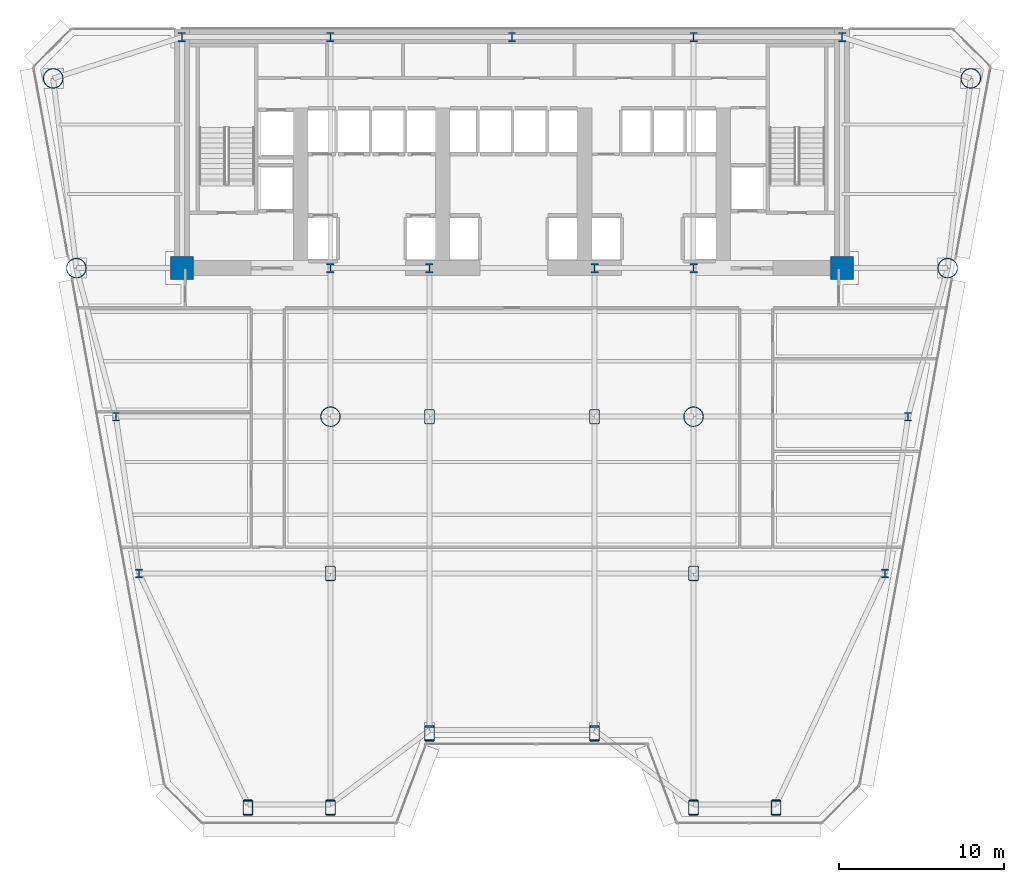
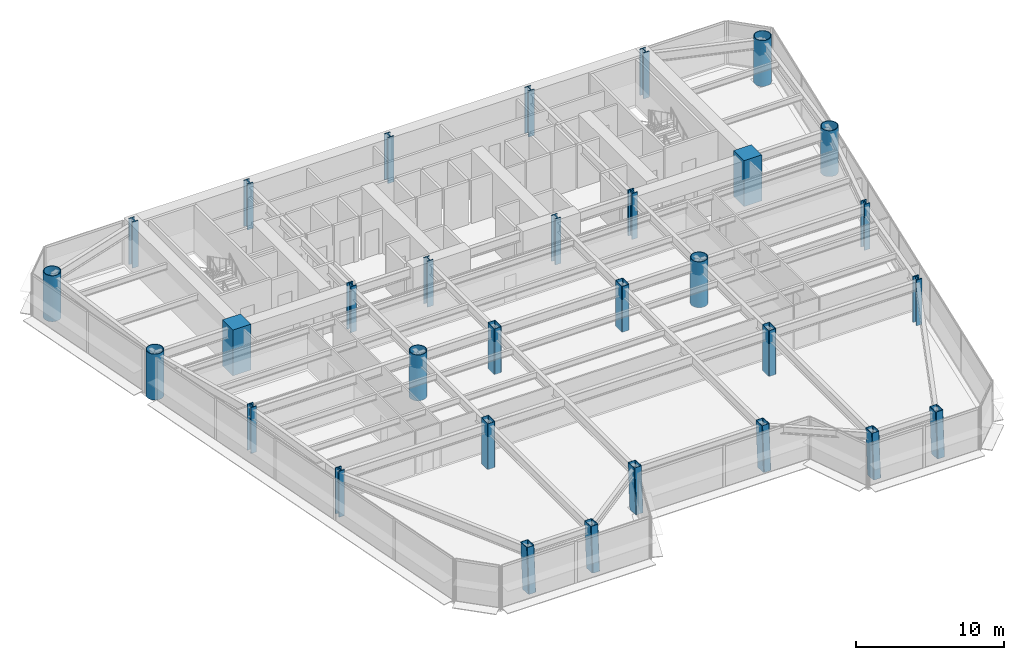
# One storey, part 1 of 14: 31 columns.
"""IFC4 building model written with IfcOpenShell, lengths in metres."""

import ifcopenshell
import ifcopenshell.guid

model = None  # the IFC model being written
_history = None  # IfcOwnerHistory: only IFC2X3 demands one
_inside = {}  # id of a spatial element -> (the spatial element, [elements in it])
_under = {}  # id of a project, library or spatial element -> (it, [spatial elements below it])
_declared = {}  # id of a project -> (the project, [libraries it declares])
_typed = {}  # id of a type object -> (the type object, [elements of that type])
_made_of = {}  # id of a material, layer set ... -> (it, [elements and type objects made of it])


def new_model(schema):
    """Start an empty IFC model of exactly this schema.

    Asked for "IFC4X3", IfcOpenShell would pick the latest addendum, in which some entities
    have other attributes; the version numbers below select the first issue.
    IFC2X3 requires an IfcOwnerHistory on every rooted entity: one is made here for all.
    """
    global model, _history
    if schema == "IFC4X3":
        model = ifcopenshell.file(schema_version=(4, 3, 0, 0))
    else:
        model = ifcopenshell.file(schema=schema)
    _inside.clear()
    _under.clear()
    _declared.clear()
    _typed.clear()
    _made_of.clear()
    _history = None
    if model.schema == "IFC2X3":
        org = make("IfcOrganization", Name="unknown")
        user = make(
            "IfcPersonAndOrganization",
            ThePerson=make("IfcPerson", FamilyName="unknown"),
            TheOrganization=org,
        )
        app = make(
            "IfcApplication",
            ApplicationDeveloper=org,
            Version="unknown",
            ApplicationFullName="unknown",
            ApplicationIdentifier="unknown",
        )
        _history = make(
            "IfcOwnerHistory",
            OwningUser=user,
            OwningApplication=app,
            ChangeAction="ADDED",
            CreationDate=0,
        )
    return model


def make(cls, **values):
    """One entity of the class cls with the attributes given. An attribute that is None is left unset."""
    return model.create_entity(
        cls, **{name: value for name, value in values.items() if value is not None}
    )


def rooted(cls, **values):
    """An entity with a GlobalId (a new one), such as an element, a storey or a relation."""
    return make(cls, GlobalId=ifcopenshell.guid.new(), OwnerHistory=_history, **values)


def si_unit(unit_type, name, prefix=None):
    """IfcSIUnit, for example si_unit("LENGTHUNIT", "METRE", prefix="MILLI")."""
    return make("IfcSIUnit", UnitType=unit_type, Prefix=prefix, Name=name)


def assignment(units):
    """IfcUnitAssignment: the units of a project."""
    return None if units is None else make("IfcUnitAssignment", Units=units)


def point(xyz):
    """IfcCartesianPoint."""
    return None if xyz is None else make("IfcCartesianPoint", Coordinates=xyz)


def direction(xyz):
    """IfcDirection."""
    return None if xyz is None else make("IfcDirection", DirectionRatios=xyz)


def frame(location, z_axis=None, x_axis=None):
    """IfcAxis2Placement3D, a coordinate frame: its origin and axes. An axis left out is left unset."""
    return make(
        "IfcAxis2Placement3D",
        Location=point(location),
        Axis=direction(z_axis),
        RefDirection=direction(x_axis),
    )


def frame_2d(location, x_axis=None):
    """IfcAxis2Placement2D, a coordinate frame in the plane: its origin and x axis."""
    return make(
        "IfcAxis2Placement2D", Location=point(location), RefDirection=direction(x_axis)
    )


def origin():
    """The frame at (0, 0, 0) with its axes left unset."""
    return frame((0.0, 0.0, 0.0))


def origin_2d():
    """The frame at (0, 0) in the plane with its x axis left unset."""
    return frame_2d((0.0, 0.0))


def place(relative_to, where):
    """IfcLocalPlacement: puts the frame where relative to a parent placement (None: the world)."""
    return make(
        "IfcLocalPlacement", PlacementRelTo=relative_to, RelativePlacement=where
    )


def context(
    kind, dimensions, precision=None, world=None, true_north=None, identifier=None
):
    """IfcGeometricRepresentationContext, for example the 3D "Model" context."""
    return make(
        "IfcGeometricRepresentationContext",
        ContextIdentifier=identifier,
        ContextType=kind,
        CoordinateSpaceDimension=dimensions,
        Precision=precision,
        WorldCoordinateSystem=world,
        TrueNorth=true_north,
    )


def subcontext(parent, identifier, kind, view, scale=None):
    """IfcGeometricRepresentationSubContext, for example "Body" below "Model"."""
    return make(
        "IfcGeometricRepresentationSubContext",
        ContextIdentifier=identifier,
        ContextType=kind,
        ParentContext=parent,
        TargetScale=scale,
        TargetView=view,
    )


def project(units=None, contexts=None):
    """IfcProject with its units and contexts."""
    return rooted(
        "IfcProject",
        Name="project",
        RepresentationContexts=contexts,
        UnitsInContext=assignment(units),
    )


def spatial(cls, under=None, at=None, **own):
    """A site, building, storey or space (cls), placed at a placement, below another one or the project."""
    s = rooted(cls, ObjectPlacement=at, **own)
    if under is not None:
        _under.setdefault(under.id(), (under, []))[1].append(s)
    return s


def profile(cls, at=None, kind="AREA", **sizes):
    """A parametric profile (cls). Its sizes go by their IFC names, for example OverallWidth=200.0."""
    return make(cls, ProfileType=kind, Position=at, **sizes)


def rectangle(**sizes):
    """IfcRectangleProfileDef."""
    return profile("IfcRectangleProfileDef", **sizes)


def hollow_rectangle(**sizes):
    """IfcRectangleHollowProfileDef."""
    return profile("IfcRectangleHollowProfileDef", **sizes)


def hollow_circle(**sizes):
    """IfcCircleHollowProfileDef."""
    return profile("IfcCircleHollowProfileDef", **sizes)


def i_section(**sizes):
    """IfcIShapeProfileDef."""
    return profile("IfcIShapeProfileDef", **sizes)


def extrude(swept, where, along, depth):
    """IfcExtrudedAreaSolid: the profile swept, set in the frame where, extruded along a direction by depth."""
    return make(
        "IfcExtrudedAreaSolid",
        SweptArea=swept,
        Position=where,
        ExtrudedDirection=direction(along),
        Depth=depth,
    )


def shape(context_of_items, identifier, shape_type, items):
    """IfcShapeRepresentation: the items that make up one representation, for example the "Body"."""
    return make(
        "IfcShapeRepresentation",
        ContextOfItems=context_of_items,
        RepresentationIdentifier=identifier,
        RepresentationType=shape_type,
        Items=items,
    )


def source(mapping_origin, context_of_items, identifier, shape_type, items):
    """IfcRepresentationMap: a shape defined once, which mapped items show again and again."""
    return make(
        "IfcRepresentationMap",
        MappingOrigin=mapping_origin,
        MappedRepresentation=shape(context_of_items, identifier, shape_type, items),
    )


def transform(
    local_origin,
    x_axis=None,
    y_axis=None,
    z_axis=None,
    scale=None,
    scale2=None,
    scale3=None,
    uniform=True,
):
    """IfcCartesianTransformationOperator3D, or its non-uniform kind. x_axis, y_axis, z_axis: its Axis1, 2, 3."""
    if uniform:
        return make(
            "IfcCartesianTransformationOperator3D",
            Axis1=direction(x_axis),
            Axis2=direction(y_axis),
            LocalOrigin=point(local_origin),
            Scale=scale,
            Axis3=direction(z_axis),
        )
    return make(
        "IfcCartesianTransformationOperator3DnonUniform",
        Axis1=direction(x_axis),
        Axis2=direction(y_axis),
        LocalOrigin=point(local_origin),
        Scale=scale,
        Axis3=direction(z_axis),
        Scale2=scale2,
        Scale3=scale3,
    )


def mapped(mapping_source, mapping_target):
    """IfcMappedItem: shows the shape of a source again, moved by a transform."""
    return make(
        "IfcMappedItem", MappingSource=mapping_source, MappingTarget=mapping_target
    )


def material(Name=None, Category=None):
    """IfcMaterial."""
    return make("IfcMaterial", Name=Name, Category=Category)


def material_profile(
    of_material, cross_section, Name=None, Category=None, Priority=None
):
    """IfcMaterialProfile: a cross section and its material."""
    return make(
        "IfcMaterialProfile",
        Name=Name,
        Material=of_material,
        Profile=cross_section,
        Priority=Priority,
        Category=Category,
    )


def profile_set(profiles, Name=None, composite=None):
    """IfcMaterialProfileSet."""
    return make(
        "IfcMaterialProfileSet",
        Name=Name,
        MaterialProfiles=profiles,
        CompositeProfile=composite,
    )


def made_of(thing, what):
    """Note that an element or type object is made of a material, layer set ...; save() writes the relation."""
    if what is not None:
        _made_of.setdefault(what.id(), (what, []))[1].append(thing)
    return thing


def type_object(cls, material=None, **own):
    """A type object (cls), such as IfcWallType, which elements share."""
    return made_of(rooted(cls, **own), material)


def element(
    cls,
    number,
    at=None,
    inside=None,
    cuts=None,
    type_object=None,
    material=None,
    context=None,
    identifier="Body",
    shape_type=None,
    held_by="IfcProductDefinitionShape",
    body=None,
    shapes=None,
    **own,
):
    """One element of the class cls, such as IfcWall. Its Tag is "e" and its number.

    at: its placement. inside: the storey or other place that contains it. cuts: it is an
    opening in that element (IfcRelVoidsElement). A single representation is given by context,
    identifier, shape_type and body (its items); several are given by shapes. held_by: the class
    of the entity that holds the representations. save() writes the other relations.
    """
    e = rooted(cls, Tag="e%d" % number, ObjectPlacement=at, **own)
    if body is not None:
        shapes = [shape(context, identifier, shape_type, body)]
    if shapes is not None:
        e.Representation = make(held_by, Representations=shapes)
    if inside is not None:
        _inside.setdefault(inside.id(), (inside, []))[1].append(e)
    if cuts is not None:
        rooted(
            "IfcRelVoidsElement", RelatingBuildingElement=cuts, RelatedOpeningElement=e
        )
    if type_object is not None:
        _typed.setdefault(type_object.id(), (type_object, []))[1].append(e)
    return made_of(e, material)


def aggregate(whole, parts):
    """IfcRelAggregates: a whole, such as a stair, and the parts it consists of."""
    return rooted("IfcRelAggregates", RelatingObject=whole, RelatedObjects=parts)


def save(model, path):
    """Write the relations noted so far, then the file.

    IfcRelAggregates (storeys below a building ...), IfcRelContainedInSpatialStructure (elements
    in a storey), IfcRelDefinesByType, IfcRelAssociatesMaterial and IfcRelDeclares: one each for
    every whole, place, type object, material and project.
    """
    for whole, parts in _under.values():
        aggregate(whole, parts)
    for where, things in _inside.values():
        rooted(
            "IfcRelContainedInSpatialStructure",
            RelatedElements=things,
            RelatingStructure=where,
        )
    for kind, things in _typed.values():
        rooted("IfcRelDefinesByType", RelatedObjects=things, RelatingType=kind)
    for what, things in _made_of.values():
        rooted("IfcRelAssociatesMaterial", RelatedObjects=things, RelatingMaterial=what)
    for by, libraries in _declared.values():
        rooted("IfcRelDeclares", RelatingContext=by, RelatedDefinitions=libraries)
    model.write(path)


model = new_model("IFC4")

# Units and contexts
model_context = context("Model", 3, precision=1e-05, world=origin(), true_north=direction((0.0, 1.0)))
body_context = subcontext(model_context, "Body", "Model", "MODEL_VIEW")
ifc_project = project(units=[si_unit("LENGTHUNIT", "METRE"), si_unit("AREAUNIT", "SQUARE_METRE"), si_unit("VOLUMEUNIT", "CUBIC_METRE"), si_unit("PLANEANGLEUNIT", "RADIAN"), si_unit("MASSUNIT", "GRAM", prefix="KILO")], contexts=[model_context])

# Site, building, storey
site_placement = place(None, origin())
site = spatial("IfcSite", under=ifc_project, at=site_placement, CompositionType="ELEMENT")
building_placement = place(site_placement, origin())
building = spatial("IfcBuilding", under=site, at=building_placement, Name="Vaeldorn Concourse Tower", CompositionType="ELEMENT")
storey_placement = place(building_placement, frame((0.0, 0.0, 64.39990234375)))
storey = spatial("IfcBuildingStorey", under=building, at=storey_placement, Name="L16", CompositionType="ELEMENT", Elevation=64.39990234375)

# Columns
ifc_material_1 = material(Name="Concrete C60/75", Category="concrete")
ifc_material_profile_1 = material_profile(ifc_material_1, rectangle(XDim=1.39990234375, YDim=1.39990234375, at=origin_2d()), Name="RC 1400x1400")
ifc_profile_set_1 = profile_set([ifc_material_profile_1], Name="Concrete C60/75")
column_type_1 = type_object("IfcColumnType", Name="COL-RC1400", PredefinedType="COLUMN", material=ifc_profile_set_1)
shared_shape_1 = source(origin(), body_context, "Body", "SweptSolid", [
    extrude(rectangle(XDim=1.39990234375, YDim=1.39990234375, at=origin_2d()), origin(), (0.0, 0.0, 1.0), 3.800048828125),
])
for number, where, z_axis, x_axis, name in (
    (1, (14.0, 36.5, 0.0), (0.0, 0.0, 1.0), (1.0, 0.0, 0.0), "Column C-FC1 L16"),
    (2, (54.0, 36.5, 0.0), (0.0, 0.0, 1.0), (1.0, 0.0, 0.0), "Column C-FC6 L16"),
):
    element("IfcColumn", number, at=place(storey_placement, frame(where, z_axis=z_axis, x_axis=x_axis)), inside=storey, type_object=column_type_1, Name=name, PredefinedType="COLUMN", context=body_context, shape_type="MappedRepresentation", body=[
        mapped(shared_shape_1, transform((0.0, 0.0, 0.0), scale=1.0)),
    ])
ifc_material_2 = material(Name="Steel S460", Category="steel")
ifc_material_profile_2 = material_profile(ifc_material_2, i_section(OverallWidth=0.4541015625, OverallDepth=0.569091796875, WebThickness=0.077880859375, FlangeThickness=0.080078125, FilletRadius=0.014892578125, at=origin_2d()), Name="HD 400x1086")
ifc_profile_set_2 = profile_set([ifc_material_profile_2], Name="Steel S460")
column_type_2 = type_object("IfcColumnType", Name="COL-HD1086", PredefinedType="COLUMN", material=ifc_profile_set_2)
shared_shape_2 = source(origin(), body_context, "Body", "SweptSolid", [
    extrude(i_section(OverallWidth=0.4541015625, OverallDepth=0.569091796875, WebThickness=0.077880859375, FlangeThickness=0.080078125, FilletRadius=0.014892578125, at=origin_2d()), origin(), (0.0, 0.0, 1.0), 3.800048828125),
])
for number, where, z_axis, x_axis, name in (
    (3, (23.0, 36.5, 0.0), (0.0, 0.0, 1.0), (1.0, 0.0, 0.0), "Column C-FC2 L16"),
    (4, (29.0, 36.5, 0.0), (0.0, 0.0, 1.0), (1.0, 0.0, 0.0), "Column C-FC3 L16"),
    (5, (39.0, 36.5, 0.0), (0.0, 0.0, 1.0), (1.0, 0.0, 0.0), "Column C-FC4 L16"),
    (6, (45.0, 36.5, 0.0), (0.0, 0.0, 1.0), (1.0, 0.0, 0.0), "Column C-FC5 L16"),
    (7, (14.0, 50.5, 0.0), (0.0, 0.0, 1.0), (1.0, 0.0, 0.0), "Column C-HC1 L16"),
    (8, (23.0, 50.5, 0.0), (0.0, 0.0, 1.0), (1.0, 0.0, 0.0), "Column C-HC2 L16"),
    (9, (34.0, 50.5, 0.0), (0.0, 0.0, 1.0), (1.0, 0.0, 0.0), "Column C-HC3 L16"),
    (10, (45.0, 50.5, 0.0), (0.0, 0.0, 1.0), (1.0, 0.0, 0.0), "Column C-HC4 L16"),
    (11, (54.0, 50.5, 0.0), (0.0, 0.0, 1.0), (1.0, 0.0, 0.0), "Column C-HC5 L16"),
):
    element("IfcColumn", number, at=place(storey_placement, frame(where, z_axis=z_axis, x_axis=x_axis)), inside=storey, type_object=column_type_2, Name=name, PredefinedType="COLUMN", context=body_context, shape_type="MappedRepresentation", body=[
        mapped(shared_shape_2, transform((0.0, 0.0, 0.0), scale=1.0)),
    ])
ifc_material_profile_3 = material_profile(ifc_material_2, hollow_circle(Radius=0.609619140625, WallThickness=0.050048828125, at=origin_2d()), Name="CHS 1219x50")
ifc_profile_set_3 = profile_set([ifc_material_profile_3], Name="Steel S460")
column_type_3 = type_object("IfcColumnType", Name="COL-CHS1219", PredefinedType="COLUMN", material=ifc_profile_set_3)
shared_shape_3 = source(origin(), body_context, "Body", "SweptSolid", [
    extrude(hollow_circle(Radius=0.609619140625, WallThickness=0.050048828125, at=origin_2d()), origin(), (0.0, 0.0, 1.0), 3.800048828125),
])
for number, where, z_axis, x_axis, name in (
    (12, (6.199951171875, 48.0, 0.0), (0.0, 0.0, 1.0), (1.0, 0.0, 0.0), "Column C-NW1 L16"),
    (13, (7.60009765625, 36.5, 0.0), (0.0, 0.0, 1.0), (1.0, 0.0, 0.0), "Column C-NW2 L16"),
    (14, (61.800048828125, 48.0, 0.0), (0.0, 0.0, 1.0), (1.0, 0.0, 0.0), "Column C-NE1 L16"),
    (15, (60.39990234375, 36.5, 0.0), (0.0, 0.0, 1.0), (1.0, 0.0, 0.0), "Column C-NE2 L16"),
    (16, (23.0, 27.5, 0.0), (0.0, 0.0, 1.0), (1.0, 0.0, 0.0), "Column C-TW1 L16"),
    (17, (45.0, 27.5, 0.0), (0.0, 0.0, 1.0), (1.0, 0.0, 0.0), "Column C-TW4 L16"),
):
    element("IfcColumn", number, at=place(storey_placement, frame(where, z_axis=z_axis, x_axis=x_axis)), inside=storey, type_object=column_type_3, Name=name, PredefinedType="COLUMN", context=body_context, shape_type="MappedRepresentation", body=[
        mapped(shared_shape_3, transform((0.0, 0.0, 0.0), scale=1.0)),
    ])
ifc_material_profile_4 = material_profile(ifc_material_2, i_section(OverallWidth=0.44189453125, OverallDepth=0.531005859375, WebThickness=0.06494140625, FlangeThickness=0.075927734375, FilletRadius=0.014892578125, at=origin_2d()), Name="HD 400x900")
ifc_profile_set_4 = profile_set([ifc_material_profile_4], Name="Steel S460")
column_type_4 = type_object("IfcColumnType", Name="COL-HD900F", PredefinedType="COLUMN", material=ifc_profile_set_4)
shared_shape_4 = source(origin(), body_context, "Body", "SweptSolid", [
    extrude(i_section(OverallWidth=0.44189453125, OverallDepth=0.531005859375, WebThickness=0.06494140625, FlangeThickness=0.075927734375, FilletRadius=0.014892578125, at=origin_2d()), origin(), (0.0, 0.0, 1.0), 3.800048828125),
])
for number, where, z_axis, x_axis, name in (
    (18, (10.0, 27.5, 0.0), (0.0, 0.0, 1.0), (1.0, 0.0, 0.0), "Column C-FLW1 L16"),
    (19, (11.39990234375, 18.0, 0.0), (0.0, 0.0, 1.0), (1.0, 0.0, 0.0), "Column C-FLW2 L16"),
    (20, (58.0, 27.5, 0.0), (0.0, 0.0, 1.0), (1.0, 0.0, 0.0), "Column C-FLE1 L16"),
    (21, (56.60009765625, 18.0, 0.0), (0.0, 0.0, 1.0), (1.0, 0.0, 0.0), "Column C-FLE2 L16"),
):
    element("IfcColumn", number, at=place(storey_placement, frame(where, z_axis=z_axis, x_axis=x_axis)), inside=storey, type_object=column_type_4, Name=name, PredefinedType="COLUMN", context=body_context, shape_type="MappedRepresentation", body=[
        mapped(shared_shape_4, transform((0.0, 0.0, 0.0), scale=1.0)),
    ])
ifc_material_profile_5 = material_profile(ifc_material_2, hollow_rectangle(XDim=0.60009765625, YDim=0.89990234375, WallThickness=0.0400390625, InnerFilletRadius=0.0400390625, OuterFilletRadius=0.080078125, at=origin_2d()), Name="RHS 900x600x40")
ifc_profile_set_5 = profile_set([ifc_material_profile_5], Name="Steel S460")
column_type_5 = type_object("IfcColumnType", Name="COL-RHS900", PredefinedType="COLUMN", material=ifc_profile_set_5)
shared_shape_5 = source(origin(), body_context, "Body", "SweptSolid", [
    extrude(hollow_rectangle(XDim=0.60009765625, YDim=0.89990234375, WallThickness=0.0400390625, InnerFilletRadius=0.0400390625, OuterFilletRadius=0.080078125, at=origin_2d()), origin(), (0.0, 0.0, 1.0), 3.800048828125),
])
for number, where, z_axis, x_axis, name in (
    (22, (29.0, 27.5, 0.0), (0.0, 0.0, 1.0), (1.0, 0.0, 0.0), "Column C-TW2 L16"),
    (23, (39.0, 27.5, 0.0), (0.0, 0.0, 1.0), (1.0, 0.0, 0.0), "Column C-TW3 L16"),
    (24, (23.0, 18.0, 0.0), (0.0, 0.0, 1.0), (1.0, 0.0, 0.0), "Column C-TW5 L16"),
    (25, (45.0, 18.0, 0.0), (0.0, 0.0, 1.0), (1.0, 0.0, 0.0), "Column C-TW6 L16"),
):
    element("IfcColumn", number, at=place(storey_placement, frame(where, z_axis=z_axis, x_axis=x_axis)), inside=storey, type_object=column_type_5, Name=name, PredefinedType="COLUMN", context=body_context, shape_type="MappedRepresentation", body=[
        mapped(shared_shape_5, transform((0.0, 0.0, 0.0), scale=1.0)),
    ])
shared_shape_6 = source(origin(), body_context, "Body", "SweptSolid", [
    extrude(hollow_rectangle(XDim=0.60009765625, YDim=0.89990234375, WallThickness=0.0400390625, InnerFilletRadius=0.0400390625, OuterFilletRadius=0.080078125, at=origin_2d()), origin(), (0.0, 0.0, 1.0), 3.74365234375),
])
for number, where, z_axis, x_axis, name in (
    (26, (18.0, 3.768798828125, 0.031982421875), (0.0, 0.063908817043, 0.997955742057), (-1.0, 0.0, 0.0), "Column C-SF1 L16"),
    (27, (23.0, 3.768798828125, 0.031982421875), (0.0, 0.063908817043, 0.997955742057), (-1.0, 0.0, 0.0), "Column C-SF2 L16"),
    (28, (29.0, 8.268798828125, 0.031982421875), (0.0, 0.063908817043, 0.997955742057), (-1.0, 0.0, 0.0), "Column C-SF3 L16"),
    (29, (39.0, 8.268798828125, 0.031982421875), (0.0, 0.063908817043, 0.997955742057), (-1.0, 0.0, 0.0), "Column C-SF4 L16"),
    (30, (45.0, 3.768798828125, 0.031982421875), (0.0, 0.063908817043, 0.997955742057), (-1.0, 0.0, 0.0), "Column C-SF5 L16"),
    (31, (50.0, 3.768798828125, 0.031982421875), (0.0, 0.063908817043, 0.997955742057), (-1.0, 0.0, 0.0), "Column C-SF6 L16"),
):
    element("IfcColumn", number, at=place(storey_placement, frame(where, z_axis=z_axis, x_axis=x_axis)), inside=storey, type_object=column_type_5, Name=name, PredefinedType="COLUMN", context=body_context, shape_type="MappedRepresentation", body=[
        mapped(shared_shape_6, transform((0.0, 0.0, 0.0), scale=1.0)),
    ])

save(model, "model.ifc")
